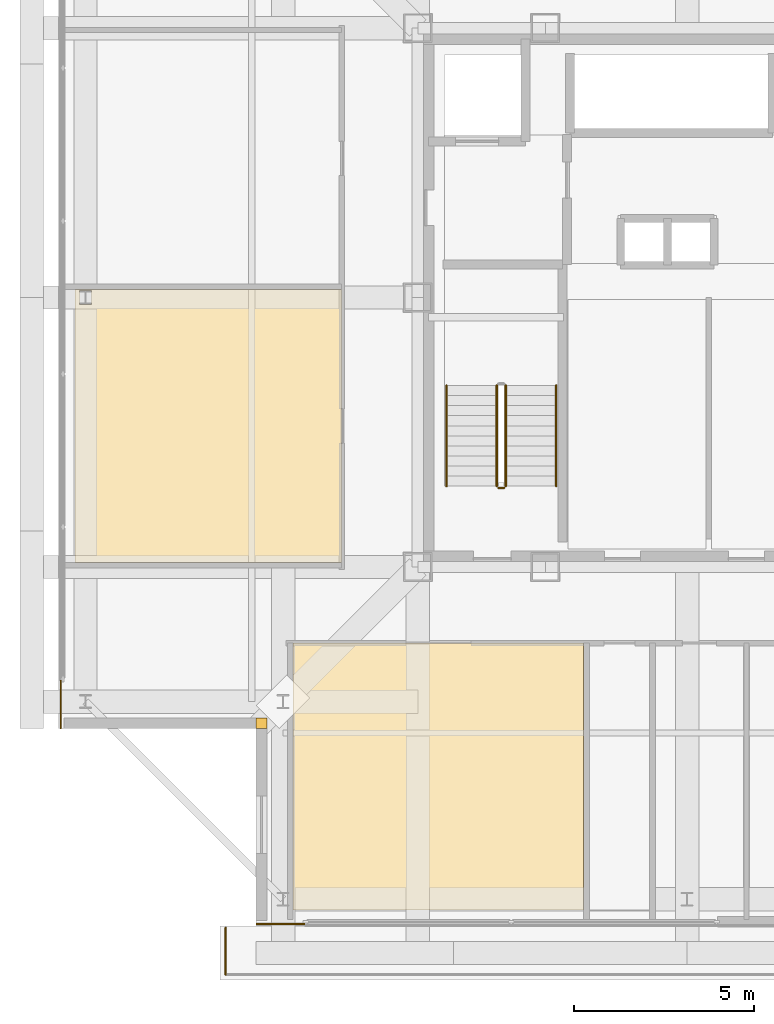
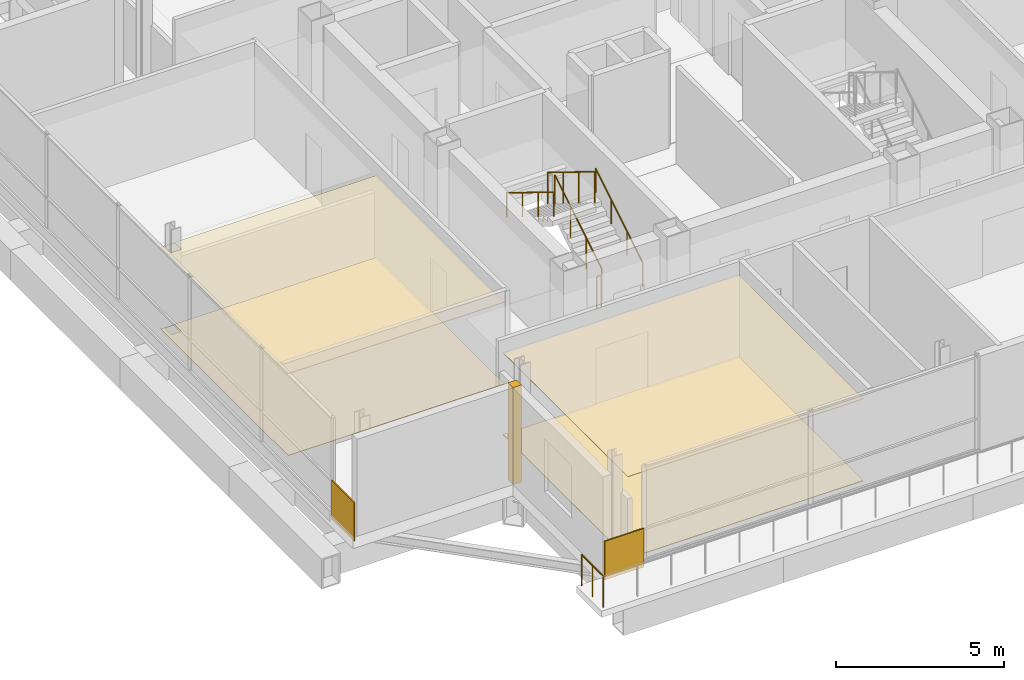
# One storey, part 11 of 15: 7 coverings, 6 railings.
"""IFC4 building model written with IfcOpenShell, lengths in metres."""

import ifcopenshell
import ifcopenshell.guid

model = None  # the IFC model being written
_history = None  # IfcOwnerHistory: only IFC2X3 demands one
_inside = {}  # id of a spatial element -> (the spatial element, [elements in it])
_under = {}  # id of a project, library or spatial element -> (it, [spatial elements below it])
_declared = {}  # id of a project -> (the project, [libraries it declares])
_typed = {}  # id of a type object -> (the type object, [elements of that type])
_made_of = {}  # id of a material, layer set ... -> (it, [elements and type objects made of it])


def new_model(schema):
    """Start an empty IFC model of exactly this schema.

    Asked for "IFC4X3", IfcOpenShell would pick the latest addendum, in which some entities
    have other attributes; the version numbers below select the first issue.
    IFC2X3 requires an IfcOwnerHistory on every rooted entity: one is made here for all.
    """
    global model, _history
    if schema == "IFC4X3":
        model = ifcopenshell.file(schema_version=(4, 3, 0, 0))
    else:
        model = ifcopenshell.file(schema=schema)
    _inside.clear()
    _under.clear()
    _declared.clear()
    _typed.clear()
    _made_of.clear()
    _history = None
    if model.schema == "IFC2X3":
        org = make("IfcOrganization", Name="unknown")
        user = make(
            "IfcPersonAndOrganization",
            ThePerson=make("IfcPerson", FamilyName="unknown"),
            TheOrganization=org,
        )
        app = make(
            "IfcApplication",
            ApplicationDeveloper=org,
            Version="unknown",
            ApplicationFullName="unknown",
            ApplicationIdentifier="unknown",
        )
        _history = make(
            "IfcOwnerHistory",
            OwningUser=user,
            OwningApplication=app,
            ChangeAction="ADDED",
            CreationDate=0,
        )
    return model


def make(cls, **values):
    """One entity of the class cls with the attributes given. An attribute that is None is left unset."""
    return model.create_entity(
        cls, **{name: value for name, value in values.items() if value is not None}
    )


def rooted(cls, **values):
    """An entity with a GlobalId (a new one), such as an element, a storey or a relation."""
    return make(cls, GlobalId=ifcopenshell.guid.new(), OwnerHistory=_history, **values)


def si_unit(unit_type, name, prefix=None):
    """IfcSIUnit, for example si_unit("LENGTHUNIT", "METRE", prefix="MILLI")."""
    return make("IfcSIUnit", UnitType=unit_type, Prefix=prefix, Name=name)


def assignment(units):
    """IfcUnitAssignment: the units of a project."""
    return None if units is None else make("IfcUnitAssignment", Units=units)


def point(xyz):
    """IfcCartesianPoint."""
    return None if xyz is None else make("IfcCartesianPoint", Coordinates=xyz)


def direction(xyz):
    """IfcDirection."""
    return None if xyz is None else make("IfcDirection", DirectionRatios=xyz)


def frame(location, z_axis=None, x_axis=None):
    """IfcAxis2Placement3D, a coordinate frame: its origin and axes. An axis left out is left unset."""
    return make(
        "IfcAxis2Placement3D",
        Location=point(location),
        Axis=direction(z_axis),
        RefDirection=direction(x_axis),
    )


def frame_2d(location, x_axis=None):
    """IfcAxis2Placement2D, a coordinate frame in the plane: its origin and x axis."""
    return make(
        "IfcAxis2Placement2D", Location=point(location), RefDirection=direction(x_axis)
    )


def origin():
    """The frame at (0, 0, 0) with its axes left unset."""
    return frame((0.0, 0.0, 0.0))


def origin_2d():
    """The frame at (0, 0) in the plane with its x axis left unset."""
    return frame_2d((0.0, 0.0))


def place(relative_to, where):
    """IfcLocalPlacement: puts the frame where relative to a parent placement (None: the world)."""
    return make(
        "IfcLocalPlacement", PlacementRelTo=relative_to, RelativePlacement=where
    )


def context(
    kind, dimensions, precision=None, world=None, true_north=None, identifier=None
):
    """IfcGeometricRepresentationContext, for example the 3D "Model" context."""
    return make(
        "IfcGeometricRepresentationContext",
        ContextIdentifier=identifier,
        ContextType=kind,
        CoordinateSpaceDimension=dimensions,
        Precision=precision,
        WorldCoordinateSystem=world,
        TrueNorth=true_north,
    )


def subcontext(parent, identifier, kind, view, scale=None):
    """IfcGeometricRepresentationSubContext, for example "Body" below "Model"."""
    return make(
        "IfcGeometricRepresentationSubContext",
        ContextIdentifier=identifier,
        ContextType=kind,
        ParentContext=parent,
        TargetScale=scale,
        TargetView=view,
    )


def project(units=None, contexts=None):
    """IfcProject with its units and contexts."""
    return rooted(
        "IfcProject",
        Name="project",
        RepresentationContexts=contexts,
        UnitsInContext=assignment(units),
    )


def spatial(cls, under=None, at=None, **own):
    """A site, building, storey or space (cls), placed at a placement, below another one or the project."""
    s = rooted(cls, ObjectPlacement=at, **own)
    if under is not None:
        _under.setdefault(under.id(), (under, []))[1].append(s)
    return s


def polyline(points):
    """IfcPolyline through the points."""
    return make("IfcPolyline", Points=[point(p) for p in points])


def profile(cls, at=None, kind="AREA", **sizes):
    """A parametric profile (cls). Its sizes go by their IFC names, for example OverallWidth=200.0."""
    return make(cls, ProfileType=kind, Position=at, **sizes)


def rectangle(**sizes):
    """IfcRectangleProfileDef."""
    return profile("IfcRectangleProfileDef", **sizes)


def circle(**sizes):
    """IfcCircleProfileDef."""
    return profile("IfcCircleProfileDef", **sizes)


def outline(outer, holes=None, kind="AREA"):
    """IfcArbitraryClosedProfileDef: a profile drawn as a closed curve; with holes, ...WithVoids."""
    if holes is None:
        return make("IfcArbitraryClosedProfileDef", ProfileType=kind, OuterCurve=outer)
    return make(
        "IfcArbitraryProfileDefWithVoids",
        ProfileType=kind,
        OuterCurve=outer,
        InnerCurves=holes,
    )


def extrude(swept, where, along, depth):
    """IfcExtrudedAreaSolid: the profile swept, set in the frame where, extruded along a direction by depth."""
    return make(
        "IfcExtrudedAreaSolid",
        SweptArea=swept,
        Position=where,
        ExtrudedDirection=direction(along),
        Depth=depth,
    )


def shape(context_of_items, identifier, shape_type, items):
    """IfcShapeRepresentation: the items that make up one representation, for example the "Body"."""
    return make(
        "IfcShapeRepresentation",
        ContextOfItems=context_of_items,
        RepresentationIdentifier=identifier,
        RepresentationType=shape_type,
        Items=items,
    )


def material(Name=None, Category=None):
    """IfcMaterial."""
    return make("IfcMaterial", Name=Name, Category=Category)


def layer(
    of_material, thickness, ventilated=None, Name=None, Category=None, Priority=None
):
    """IfcMaterialLayer: one layer of a wall or slab, of a material (None: an air gap)."""
    return make(
        "IfcMaterialLayer",
        Material=of_material,
        LayerThickness=thickness,
        IsVentilated=ventilated,
        Name=Name,
        Category=Category,
        Priority=Priority,
    )


def layer_set(layers, Name=None):
    """IfcMaterialLayerSet."""
    return make("IfcMaterialLayerSet", MaterialLayers=layers, LayerSetName=Name)


def made_of(thing, what):
    """Note that an element or type object is made of a material, layer set ...; save() writes the relation."""
    if what is not None:
        _made_of.setdefault(what.id(), (what, []))[1].append(thing)
    return thing


def type_object(cls, material=None, **own):
    """A type object (cls), such as IfcWallType, which elements share."""
    return made_of(rooted(cls, **own), material)


def element(
    cls,
    number,
    at=None,
    inside=None,
    cuts=None,
    type_object=None,
    material=None,
    context=None,
    identifier="Body",
    shape_type=None,
    held_by="IfcProductDefinitionShape",
    body=None,
    shapes=None,
    **own,
):
    """One element of the class cls, such as IfcWall. Its Tag is "e" and its number.

    at: its placement. inside: the storey or other place that contains it. cuts: it is an
    opening in that element (IfcRelVoidsElement). A single representation is given by context,
    identifier, shape_type and body (its items); several are given by shapes. held_by: the class
    of the entity that holds the representations. save() writes the other relations.
    """
    e = rooted(cls, Tag="e%d" % number, ObjectPlacement=at, **own)
    if body is not None:
        shapes = [shape(context, identifier, shape_type, body)]
    if shapes is not None:
        e.Representation = make(held_by, Representations=shapes)
    if inside is not None:
        _inside.setdefault(inside.id(), (inside, []))[1].append(e)
    if cuts is not None:
        rooted(
            "IfcRelVoidsElement", RelatingBuildingElement=cuts, RelatedOpeningElement=e
        )
    if type_object is not None:
        _typed.setdefault(type_object.id(), (type_object, []))[1].append(e)
    return made_of(e, material)


def aggregate(whole, parts):
    """IfcRelAggregates: a whole, such as a stair, and the parts it consists of."""
    return rooted("IfcRelAggregates", RelatingObject=whole, RelatedObjects=parts)


def save(model, path):
    """Write the relations noted so far, then the file.

    IfcRelAggregates (storeys below a building ...), IfcRelContainedInSpatialStructure (elements
    in a storey), IfcRelDefinesByType, IfcRelAssociatesMaterial and IfcRelDeclares: one each for
    every whole, place, type object, material and project.
    """
    for whole, parts in _under.values():
        aggregate(whole, parts)
    for where, things in _inside.values():
        rooted(
            "IfcRelContainedInSpatialStructure",
            RelatedElements=things,
            RelatingStructure=where,
        )
    for kind, things in _typed.values():
        rooted("IfcRelDefinesByType", RelatedObjects=things, RelatingType=kind)
    for what, things in _made_of.values():
        rooted("IfcRelAssociatesMaterial", RelatedObjects=things, RelatingMaterial=what)
    for by, libraries in _declared.values():
        rooted("IfcRelDeclares", RelatingContext=by, RelatedDefinitions=libraries)
    model.write(path)


model = new_model("IFC4")

# Units and contexts
model_context = context("Model", 3, precision=1e-05, world=origin(), true_north=direction((0.0, 1.0)))
body_context = subcontext(model_context, "Body", "Model", "MODEL_VIEW")
ifc_project = project(units=[si_unit("LENGTHUNIT", "METRE"), si_unit("AREAUNIT", "SQUARE_METRE"), si_unit("VOLUMEUNIT", "CUBIC_METRE"), si_unit("PLANEANGLEUNIT", "RADIAN"), si_unit("MASSUNIT", "GRAM", prefix="KILO")], contexts=[model_context])

# Site, building, storey
site_placement = place(None, origin())
site = spatial("IfcSite", under=ifc_project, at=site_placement, CompositionType="ELEMENT")
building_placement = place(site_placement, origin())
building = spatial("IfcBuilding", under=site, at=building_placement, Name="Trevonay Congress Spire", CompositionType="ELEMENT")
storey_placement = place(building_placement, frame((0.0, 0.0, 300.800048828125)))
storey = spatial("IfcBuildingStorey", under=building, at=storey_placement, Name="L79", CompositionType="ELEMENT", Elevation=300.800048828125)

# Coverings
ifc_material_1 = material(Name="Acoustic Mineral Fibre Board", Category="gypsum")
ifc_layer_1 = layer(ifc_material_1, 0.02490234375, Name="Acoustic Mineral Fibre Board")
ifc_layer_set_1 = layer_set([ifc_layer_1], Name="Acoustic Mineral Fibre Board")
covering_type_1 = type_object("IfcCoveringType", Name="COV-CEIL-ACOUSTIC", PredefinedType="CEILING", material=ifc_layer_set_1)
covering_1_placement = place(storey_placement, frame((0.0, 0.0, 2.969970703125)))
element("IfcCovering", 1, at=covering_1_placement, inside=storey, type_object=covering_type_1, Name="L79 Sky Observatory Salon South acoustic suspended ceiling", PredefinedType="CEILING", context=body_context, shape_type="SweptSolid", body=[
    extrude(outline(polyline([(-10.969970703125, -17.050048828125), (-2.8798828125, -17.050048828125), (-2.8798828125, -9.6201171875), (-10.969970703125, -9.6201171875), (-10.969970703125, -17.050048828125)])), origin(), (0.0, 0.0, 1.0), 0.02490234375),
])
covering_2_placement = place(storey_placement, frame((0.0, 0.0, 2.969970703125)))
element("IfcCovering", 2, at=covering_2_placement, inside=storey, type_object=covering_type_1, Name="L79 VIP Summit Reception Suite acoustic suspended ceiling", PredefinedType="CEILING", context=body_context, shape_type="SweptSolid", body=[
    extrude(outline(polyline([(-17.050048828125, 0.219970703125), (-9.6201171875, 0.219970703125), (-9.6201171875, -7.3701171875), (-17.050048828125, -7.3701171875), (-17.050048828125, 0.219970703125)]), holes=[polyline([(-16.5791015625, -0.196044921875), (-16.5791015625, 0.196044921875), (-16.9208984375, 0.196044921875), (-16.9208984375, -0.196044921875), (-16.5791015625, -0.196044921875)])]), origin(), (0.0, 0.0, 1.0), 0.02490234375),
])
ifc_material_2 = material(Name="Polished Granite Floor Tile", Category="masonry")
ifc_layer_2 = layer(ifc_material_2, 0.02001953125, Name="Polished Granite Floor Tile")
ifc_layer_set_2 = layer_set([ifc_layer_2], Name="Polished Granite Floor Tile")
covering_type_2 = type_object("IfcCoveringType", Name="COV-FLOOR-STONE", PredefinedType="FLOORING", material=ifc_layer_set_2)
covering_3_placement = place(storey_placement, origin())
element("IfcCovering", 3, at=covering_3_placement, inside=storey, type_object=covering_type_2, Name="L79 Sky Observatory Salon South floor finish", PredefinedType="FLOORING", context=body_context, shape_type="SweptSolid", body=[
    extrude(outline(polyline([(-10.969970703125, -17.050048828125), (-2.8798828125, -17.050048828125), (-2.8798828125, -9.6201171875), (-10.969970703125, -9.6201171875), (-10.969970703125, -17.050048828125)])), origin(), (0.0, 0.0, 1.0), 0.02001953125),
])
ifc_material_3 = material(Name="Engineered Oak Flooring", Category="wood")
ifc_layer_3 = layer(ifc_material_3, 0.01806640625, Name="Engineered Oak Flooring")
ifc_layer_set_3 = layer_set([ifc_layer_3], Name="Engineered Oak Flooring")
covering_type_3 = type_object("IfcCoveringType", Name="COV-FLOOR-TIMBER", PredefinedType="FLOORING", material=ifc_layer_set_3)
covering_4_placement = place(storey_placement, origin())
element("IfcCovering", 4, at=covering_4_placement, inside=storey, type_object=covering_type_3, Name="L79 VIP Summit Reception Suite floor finish", PredefinedType="FLOORING", context=body_context, shape_type="SweptSolid", body=[
    extrude(outline(polyline([(-17.050048828125, 0.219970703125), (-9.6201171875, 0.219970703125), (-9.6201171875, -7.3701171875), (-17.050048828125, -7.3701171875), (-17.050048828125, 0.219970703125)]), holes=[polyline([(-16.5791015625, -0.196044921875), (-16.5791015625, 0.196044921875), (-16.9208984375, 0.196044921875), (-16.9208984375, -0.196044921875), (-16.5791015625, -0.196044921875)])]), origin(), (0.0, 0.0, 1.0), 0.01806640625),
])
ifc_material_4 = material(Name="Pale Anodised Aluminium EN AW-6063-T6", Category="aluminium")
ifc_layer_4 = layer(ifc_material_4, 0.0400390625, Name="Pale Anodised Aluminium EN AW-6063-T6")
ifc_layer_set_4 = layer_set([ifc_layer_4], Name="Pale Anodised Aluminium EN AW-6063-T6")
covering_type_4 = type_object("IfcCoveringType", Name="COV-SPANDREL-PALE-METAL", PredefinedType="CLADDING", material=ifc_layer_set_4)
covering_5_placement = place(storey_placement, origin())
element("IfcCovering", 5, at=covering_5_placement, inside=storey, type_object=covering_type_4, Name="L79 SW re-entrant notch corner closure trim", PredefinedType="CLADDING", context=body_context, shape_type="SweptSolid", body=[
    extrude(outline(polyline([(-12.0, -12.0), (-11.699951171875, -12.0), (-11.699951171875, -11.699951171875), (-12.0, -11.699951171875), (-12.0, -12.0)])), origin(), (0.0, 0.0, 1.0), 3.52001953125),
])
for number, where, z_axis, x_axis, name in (
    (6, (-17.43994140625, -10.64990234375, -0.150146484375), (0.0, 0.0, 1.0), (0.0, -1.0, 0.0), "L79 SW corner pier spandrel cladding 1"),
    (7, (-10.64990234375, -17.43994140625, -0.150146484375), (0.0, 0.0, 1.0), (-1.0, 0.0, 0.0), "L79 SW corner pier spandrel cladding 2"),
):
    element("IfcCovering", number, at=place(storey_placement, frame(where, z_axis=z_axis, x_axis=x_axis)), inside=storey, type_object=covering_type_4, Name=name, PredefinedType="CLADDING", context=body_context, shape_type="SweptSolid", body=[
        extrude(rectangle(XDim=1.35009765625, YDim=0.0400390625, at=frame_2d((0.675048828125, 0.0))), origin(), (0.0, 0.0, 1.0), 1.400146484375),
    ])

# Railings
railing_type_1 = type_object("IfcRailingType", Name="RAL-BALUSTRADE-115", PredefinedType="BALUSTRADE", material=ifc_material_4)
railing_1_placement = place(storey_placement, frame((-12.85009765625, -17.550048828125, 0.0)))
element("IfcRailing", 8, at=railing_1_placement, inside=storey, type_object=railing_type_1, Name="L79 perimeter safety guard GRD-L79-SKY-S-1", PredefinedType="BALUSTRADE", context=body_context, shape_type="SweptSolid", body=[
    extrude(circle(Radius=0.02392578125, at=origin_2d()), frame((0.0, 0.0, 1.1259765625), z_axis=(0.0, -1.0, 0.0), x_axis=(1.0, 0.0, 0.0)), (0.0, 0.0, 1.0), 1.300048828125),
    extrude(circle(Radius=0.02099609375, at=origin_2d()), origin(), (0.0, 0.0, 1.0), 1.101806640625),
    extrude(circle(Radius=0.02099609375, at=origin_2d()), frame((0.0, -0.64990234375, 0.0)), (0.0, 0.0, 1.0), 1.101806640625),
    extrude(circle(Radius=0.02099609375, at=origin_2d()), frame((0.0, -1.300048828125, 0.0)), (0.0, 0.0, 1.0), 1.101806640625),
])
railing_type_2 = type_object("IfcRailingType", Name="RAL-STAIR-GUARD-110", PredefinedType="GUARDRAIL", material=ifc_material_4)
railing_2_placement = place(storey_placement, frame((-5.050048828125, -5.25, 0.172607421875)))
element("IfcRailing", 9, at=railing_2_placement, inside=storey, type_object=railing_type_2, Name="L79 ST-1 stair guard 1", PredefinedType="GUARDRAIL", context=body_context, shape_type="SweptSolid", body=[
    extrude(circle(Radius=0.02392578125, at=origin_2d()), frame((0.0, 0.0, 1.1259765625), z_axis=(0.0, 0.851089632645, 0.525020415988), x_axis=(-1.0, 0.0, 0.0)), (0.0, 0.0, 1.0), 3.2900390625),
    extrude(circle(Radius=0.02099609375, at=origin_2d()), origin(), (0.0, 0.0, 1.0), 1.101806640625),
    extrude(circle(Radius=0.02099609375, at=origin_2d()), frame((0.0, 0.933349609375, 0.57568359375)), (0.0, 0.0, 1.0), 1.101806640625),
    extrude(circle(Radius=0.02099609375, at=origin_2d()), frame((0.0, 1.86669921875, 1.151611328125)), (0.0, 0.0, 1.0), 1.101806640625),
    extrude(circle(Radius=0.02099609375, at=origin_2d()), frame((0.0, 2.800048828125, 1.727294921875)), (0.0, 0.0, 1.0), 1.101806640625),
])
railing_3_placement = place(storey_placement, frame((-5.300048828125, -2.449951171875, 2.07275390625)))
element("IfcRailing", 10, at=railing_3_placement, inside=storey, type_object=railing_type_2, Name="L79 ST-1 stair guard 3", PredefinedType="GUARDRAIL", context=body_context, shape_type="SweptSolid", body=[
    extrude(circle(Radius=0.02392578125, at=origin_2d()), frame((0.0, 0.0, 1.1259765625), z_axis=(0.0, -0.851089632645, 0.525020415988), x_axis=(1.0, 0.0, 0.0)), (0.0, 0.0, 1.0), 3.2900390625),
    extrude(circle(Radius=0.02099609375, at=origin_2d()), origin(), (0.0, 0.0, 1.0), 1.101806640625),
    extrude(circle(Radius=0.02099609375, at=origin_2d()), frame((0.0, -0.933349609375, 0.57568359375)), (0.0, 0.0, 1.0), 1.101806640625),
    extrude(circle(Radius=0.02099609375, at=origin_2d()), frame((0.0, -1.86669921875, 1.151611328125)), (0.0, 0.0, 1.0), 1.101806640625),
    extrude(circle(Radius=0.02099609375, at=origin_2d()), frame((0.0, -2.800048828125, 1.727294921875)), (0.0, 0.0, 1.0), 1.101806640625),
])
railing_4_placement = place(storey_placement, frame((-5.10009765625, -5.300048828125, 0.0)))
element("IfcRailing", 11, at=railing_4_placement, inside=storey, type_object=railing_type_2, Name="L79 ST-1 stair guard 4", PredefinedType="GUARDRAIL", context=body_context, shape_type="SweptSolid", body=[
    extrude(circle(Radius=0.02392578125, at=origin_2d()), frame((0.0, 0.0, 1.1259765625), z_axis=(-1.0, 0.0, 0.0), x_axis=(0.0, -1.0, 0.0)), (0.0, 0.0, 1.0), 0.14990234375),
    extrude(circle(Radius=0.02099609375, at=origin_2d()), origin(), (0.0, 0.0, 1.0), 1.101806640625),
    extrude(circle(Radius=0.02099609375, at=origin_2d()), frame((-0.14990234375, 0.0, 0.0)), (0.0, 0.0, 1.0), 1.101806640625),
])
railing_type_3 = type_object("IfcRailingType", Name="RAL-STAIR-HANDRAIL", PredefinedType="HANDRAIL", material=ifc_material_4)
railing_5_placement = place(storey_placement, frame((-3.64990234375, -5.25, 0.172607421875)))
element("IfcRailing", 12, at=railing_5_placement, inside=storey, type_object=railing_type_3, Name="L79 ST-1 stair handrail 1", PredefinedType="HANDRAIL", context=body_context, shape_type="SweptSolid", body=[
    extrude(circle(Radius=0.02392578125, at=origin_2d()), frame((0.0, 0.0, 0.8759765625), z_axis=(0.0, 0.851089632645, 0.525020415988), x_axis=(-1.0, 0.0, 0.0)), (0.0, 0.0, 1.0), 3.2900390625),
    extrude(circle(Radius=0.02099609375, at=origin_2d()), origin(), (0.0, 0.0, 1.0), 0.851806640625),
    extrude(circle(Radius=0.02099609375, at=origin_2d()), frame((0.0, 0.933349609375, 0.57568359375)), (0.0, 0.0, 1.0), 0.851806640625),
    extrude(circle(Radius=0.02099609375, at=origin_2d()), frame((0.0, 1.86669921875, 1.151611328125)), (0.0, 0.0, 1.0), 0.851806640625),
    extrude(circle(Radius=0.02099609375, at=origin_2d()), frame((0.0, 2.800048828125, 1.727294921875)), (0.0, 0.0, 1.0), 0.851806640625),
])
railing_6_placement = place(storey_placement, frame((-6.699951171875, -2.449951171875, 2.07275390625)))
element("IfcRailing", 13, at=railing_6_placement, inside=storey, type_object=railing_type_3, Name="L79 ST-1 stair handrail 2", PredefinedType="HANDRAIL", context=body_context, shape_type="SweptSolid", body=[
    extrude(circle(Radius=0.02392578125, at=origin_2d()), frame((0.0, 0.0, 0.8759765625), z_axis=(0.0, -0.851089632645, 0.525020415988), x_axis=(1.0, 0.0, 0.0)), (0.0, 0.0, 1.0), 3.2900390625),
    extrude(circle(Radius=0.02099609375, at=origin_2d()), origin(), (0.0, 0.0, 1.0), 0.851806640625),
    extrude(circle(Radius=0.02099609375, at=origin_2d()), frame((0.0, -0.933349609375, 0.57568359375)), (0.0, 0.0, 1.0), 0.851806640625),
    extrude(circle(Radius=0.02099609375, at=origin_2d()), frame((0.0, -1.86669921875, 1.151611328125)), (0.0, 0.0, 1.0), 0.851806640625),
    extrude(circle(Radius=0.02099609375, at=origin_2d()), frame((0.0, -2.800048828125, 1.727294921875)), (0.0, 0.0, 1.0), 0.851806640625),
])

save(model, "model.ifc")
